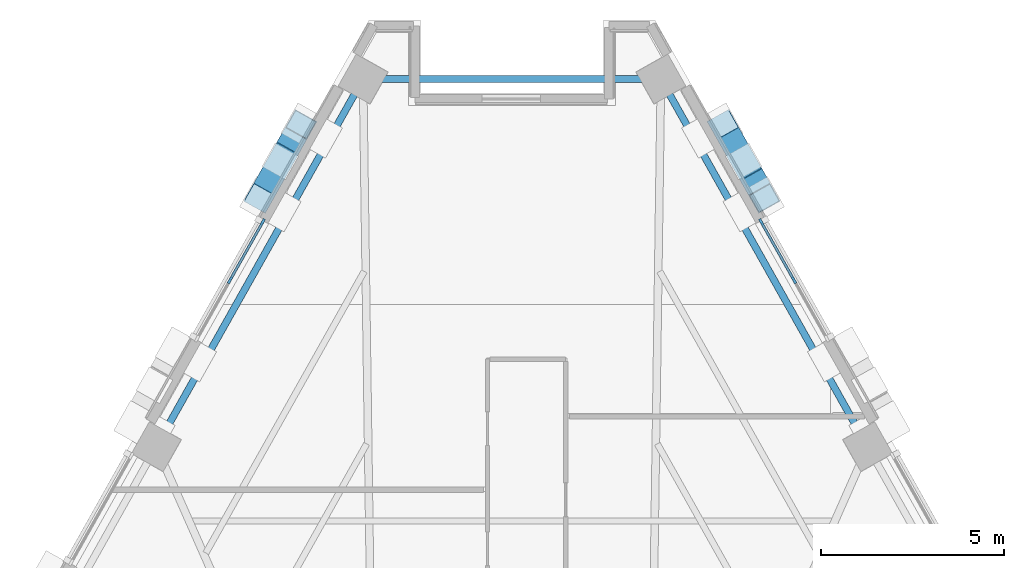
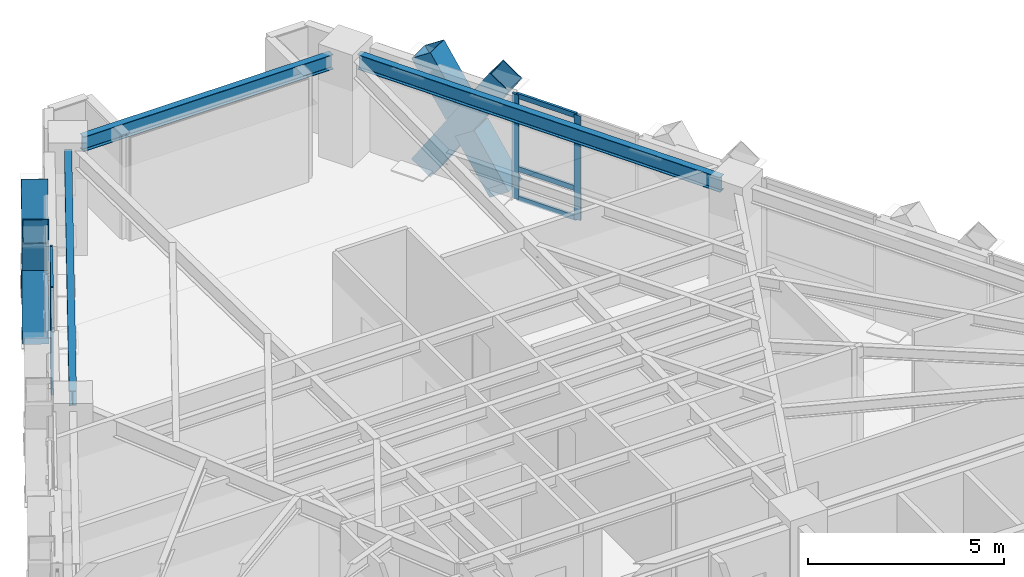
# One storey, part 5 of 14: 16 members, 3 beams, 2 elements without a shape of their own.
"""IFC4 building model written with IfcOpenShell, lengths in metres."""

from ifc_helpers import new_model, si_unit, direction, frame, origin, origin_2d, place, context, subcontext, project, spatial, rectangle, hollow_rectangle, i_section, extrude, material, material_profile, profile_set, type_object, element, aggregate, save


model = new_model("IFC4")

# Units and contexts
model_context = context("Model", 3, precision=1e-05, world=origin(), true_north=direction((0.0, 1.0)))
body_context = subcontext(model_context, "Body", "Model", "MODEL_VIEW")
ifc_project = project(units=[si_unit("LENGTHUNIT", "METRE"), si_unit("AREAUNIT", "SQUARE_METRE"), si_unit("VOLUMEUNIT", "CUBIC_METRE"), si_unit("PLANEANGLEUNIT", "RADIAN"), si_unit("MASSUNIT", "GRAM", prefix="KILO")], contexts=[model_context])

# Site, building, storey
site_placement = place(None, origin())
site = spatial("IfcSite", under=ifc_project, at=site_placement, CompositionType="ELEMENT")
building_placement = place(site_placement, origin())
building = spatial("IfcBuilding", under=site, at=building_placement, Name="Quenlor Broadcast Tower", CompositionType="ELEMENT")
storey_placement = place(building_placement, frame((0.0, 0.0, 133.5)))
storey = spatial("IfcBuildingStorey", under=building, at=storey_placement, Name="L36", CompositionType="ELEMENT", Elevation=133.5)

# Curtain wall, members
ifc_material_1 = material(Name="Architectural Terracotta and Low-E Glazing", Category="masonry")
curtain_wall_type = type_object("IfcCurtainWallType", Name="Unitised Terracotta Curtain Wall System Z3", PredefinedType="NOTDEFINED", material=ifc_material_1)
curtain_wall_1_placement = place(storey_placement, origin())
curtain_wall_1 = element("IfcCurtainWall", 1, at=curtain_wall_1_placement, inside=storey, type_object=curtain_wall_type, Name="L36 Curtain Wall CW3 (L36-NEA-G1)", PredefinedType="NOTDEFINED")
ifc_material_2 = material(Name="Aluminium 6063-T6", Category="aluminium")
ifc_material_profile_1 = material_profile(ifc_material_2, rectangle(XDim=0.070068359375, YDim=0.18994140625, at=origin_2d()))
ifc_profile_set_1 = profile_set([ifc_material_profile_1], Name="Aluminium 6063-T6 MULL70x190")
member_type_1 = type_object("IfcMemberType", Name="CW3 Aluminium Mullion MULL_CW3", PredefinedType="MULLION", material=ifc_profile_set_1)
member_1_placement = place(storey_placement, frame((6.8271484375, 14.90576171875, 0.0), z_axis=(0.0, 0.0, 1.0), x_axis=(0.871570530637, 0.490270139949, 0.0)))
member_1 = element("IfcMember", 2, at=member_1_placement, type_object=member_type_1, Name="CW3 mullion 1", PredefinedType="MULLION", context=body_context, shape_type="SweptSolid", body=[
    extrude(rectangle(XDim=0.070068359375, YDim=0.18994140625, at=origin_2d()), origin(), (0.0, 0.0, 1.0), 3.25),
])
member_2_placement = place(storey_placement, frame((7.725341796875, 13.30908203125, 0.0), z_axis=(0.0, 0.0, 1.0), x_axis=(0.871570530637, 0.490270139949, 0.0)))
member_2 = element("IfcMember", 3, at=member_2_placement, type_object=member_type_1, Name="CW3 mullion 2", PredefinedType="MULLION", context=body_context, shape_type="SweptSolid", body=[
    extrude(rectangle(XDim=0.070068359375, YDim=0.18994140625, at=origin_2d()), origin(), (0.0, 0.0, 1.0), 3.25),
])

curtain_wall_2_placement = place(storey_placement, origin())
curtain_wall_2 = element("IfcCurtainWall", 4, at=curtain_wall_2_placement, inside=storey, type_object=curtain_wall_type, Name="L36 Curtain Wall CW3 (L36-NWC-G1)", PredefinedType="NOTDEFINED")
member_3_placement = place(storey_placement, frame((-7.725341796875, 13.30908203125, 0.0), z_axis=(0.0, 0.0, 1.0), x_axis=(-0.871570530637, 0.490270139949, 0.0)))
member_3 = element("IfcMember", 5, at=member_3_placement, type_object=member_type_1, Name="CW3 mullion 2", PredefinedType="MULLION", context=body_context, shape_type="SweptSolid", body=[
    extrude(rectangle(XDim=0.070068359375, YDim=0.18994140625, at=origin_2d()), origin(), (0.0, 0.0, 1.0), 3.25),
])
member_4_placement = place(storey_placement, frame((-6.8271484375, 14.90576171875, 0.0), z_axis=(0.0, 0.0, 1.0), x_axis=(-0.871570530637, 0.490270139949, 0.0)))
member_4 = element("IfcMember", 6, at=member_4_placement, type_object=member_type_1, Name="CW3 mullion 3", PredefinedType="MULLION", context=body_context, shape_type="SweptSolid", body=[
    extrude(rectangle(XDim=0.070068359375, YDim=0.18994140625, at=origin_2d()), origin(), (0.0, 0.0, 1.0), 3.25),
])

# Member
ifc_material_3 = material(Name="Aluminium 6063-T6", Category="aluminium")
ifc_material_profile_2 = material_profile(ifc_material_3, rectangle(XDim=0.070068359375, YDim=0.155029296875, at=origin_2d()))
ifc_profile_set_2 = profile_set([ifc_material_profile_2], Name="Aluminium 6063-T6 TRAN70x155")
member_type_2 = type_object("IfcMemberType", Name="CW3 Aluminium Transom TRAN_CW3", PredefinedType="USERDEFINED", material=ifc_profile_set_2)
member_5_placement = place(storey_placement, frame((6.84423828125, 14.875244140625, 0.034912109375), z_axis=(0.490353334151, -0.871523727553, 0.0), x_axis=(0.871523727553, 0.490353334151, 0.0)))
member_5 = element("IfcMember", 7, at=member_5_placement, type_object=member_type_2, Name="CW3 transom 1.1", ObjectType="TRANSOM", PredefinedType="USERDEFINED", context=body_context, shape_type="SweptSolid", body=[
    extrude(rectangle(XDim=0.070068359375, YDim=0.155029296875, at=origin_2d()), origin(), (0.0, 0.0, 1.0), 1.761962890625),
])

member_6_placement = place(storey_placement, frame((6.84423828125, 14.875244140625, 0.949951171875), z_axis=(0.490353334151, -0.871523727553, 0.0), x_axis=(0.871523727553, 0.490353334151, 0.0)))
member_6 = element("IfcMember", 8, at=member_6_placement, type_object=member_type_2, Name="CW3 transom 1.2", ObjectType="TRANSOM", PredefinedType="USERDEFINED", context=body_context, shape_type="SweptSolid", body=[
    extrude(rectangle(XDim=0.070068359375, YDim=0.155029296875, at=origin_2d()), origin(), (0.0, 0.0, 1.0), 1.761962890625),
])

member_7_placement = place(storey_placement, frame((6.84423828125, 14.875244140625, 3.215087890625), z_axis=(0.490353334151, -0.871523727553, 0.0), x_axis=(0.871523727553, 0.490353334151, 0.0)))
member_7 = element("IfcMember", 9, at=member_7_placement, type_object=member_type_2, Name="CW3 transom 1.3", ObjectType="TRANSOM", PredefinedType="USERDEFINED", context=body_context, shape_type="SweptSolid", body=[
    extrude(rectangle(XDim=0.070068359375, YDim=0.155029296875, at=origin_2d()), origin(), (0.0, 0.0, 1.0), 1.761962890625),
])

aggregate(curtain_wall_1, [member_1, member_2, member_5, member_6, member_7])

member_8_placement = place(storey_placement, frame((-7.708251953125, 13.339599609375, 0.034912109375), z_axis=(0.490353334151, 0.871523727553, 0.0), x_axis=(-0.871523727553, 0.490353334151, 0.0)))
member_8 = element("IfcMember", 10, at=member_8_placement, type_object=member_type_2, Name="CW3 transom 2.1", ObjectType="TRANSOM", PredefinedType="USERDEFINED", context=body_context, shape_type="SweptSolid", body=[
    extrude(rectangle(XDim=0.070068359375, YDim=0.155029296875, at=origin_2d()), origin(), (0.0, 0.0, 1.0), 1.761962890625),
])

member_9_placement = place(storey_placement, frame((-7.708251953125, 13.339599609375, 0.949951171875), z_axis=(0.490353334151, 0.871523727553, 0.0), x_axis=(-0.871523727553, 0.490353334151, 0.0)))
member_9 = element("IfcMember", 11, at=member_9_placement, type_object=member_type_2, Name="CW3 transom 2.2", ObjectType="TRANSOM", PredefinedType="USERDEFINED", context=body_context, shape_type="SweptSolid", body=[
    extrude(rectangle(XDim=0.070068359375, YDim=0.155029296875, at=origin_2d()), origin(), (0.0, 0.0, 1.0), 1.761962890625),
])

member_10_placement = place(storey_placement, frame((-7.708251953125, 13.339599609375, 3.215087890625), z_axis=(0.490353334151, 0.871523727553, 0.0), x_axis=(-0.871523727553, 0.490353334151, 0.0)))
member_10 = element("IfcMember", 12, at=member_10_placement, type_object=member_type_2, Name="CW3 transom 2.3", ObjectType="TRANSOM", PredefinedType="USERDEFINED", context=body_context, shape_type="SweptSolid", body=[
    extrude(rectangle(XDim=0.070068359375, YDim=0.155029296875, at=origin_2d()), origin(), (0.0, 0.0, 1.0), 1.761962890625),
])

aggregate(curtain_wall_2, [member_3, member_4, member_8, member_9, member_10])

# Members
ifc_material_4 = material(Name="Steel S355", Category="steel")
ifc_material_profile_3 = material_profile(ifc_material_4, hollow_rectangle(XDim=0.679931640625, YDim=0.679931640625, WallThickness=0.02490234375, at=origin_2d()))
ifc_profile_set_3 = profile_set([ifc_material_profile_3], Name="Steel S355 RHS680x680x25")
member_type_3 = type_object("IfcMemberType", Name="Perimeter Diagonal Lattice Brace Z3-Z4 Steel S355 RHS680x25", PredefinedType="BRACE", material=ifc_profile_set_3)
member_11_placement = place(storey_placement, frame((5.77783203125, 17.5771484375, -0.1201171875), z_axis=(0.2705491942, -0.481008661973, 0.833926735766), x_axis=(0.871589611547, 0.490236217596, 0.0)))
element("IfcMember", 13, at=member_11_placement, inside=storey, type_object=member_type_3, Name="L36 Perimeter Diamond Lattice NE-C1XA", PredefinedType="BRACE", context=body_context, shape_type="SweptSolid", body=[
    extrude(hollow_rectangle(XDim=0.679931640625, YDim=0.679931640625, WallThickness=0.02490234375, at=origin_2d()), origin(), (0.0, 0.0, 1.0), 4.197021484375),
])
for number, where, z_axis, x_axis, name in (
    (14, (6.913330078125, 15.558349609375, -0.1201171875), (-0.270616433058, 0.481007832697, 0.833905396938), (-0.871537189362, -0.490329407194, 0.0), "L36 Perimeter Diamond Lattice NE-C1XB1"),
    (15, (6.278076171875, 16.68798828125, 1.83837890625), (-0.270616433058, 0.481007832697, 0.833905396938), (-0.871537189362, -0.490329407194, 0.0), "L36 Perimeter Diamond Lattice NE-C1XB2"),
):
    element("IfcMember", number, at=place(storey_placement, frame(where, z_axis=z_axis, x_axis=x_axis)), inside=storey, type_object=member_type_3, Name=name, PredefinedType="BRACE", context=body_context, shape_type="SweptSolid", body=[
        extrude(hollow_rectangle(XDim=0.679931640625, YDim=0.679931640625, WallThickness=0.02490234375, at=origin_2d()), origin(), (0.0, 0.0, 1.0), 1.8486328125),
    ])
member_12_placement = place(storey_placement, frame((-6.913330078125, 15.558349609375, -0.1201171875), z_axis=(0.2705491942, 0.481008661973, 0.833926735766), x_axis=(-0.871589611547, 0.490236217596, 0.0)))
element("IfcMember", 16, at=member_12_placement, inside=storey, type_object=member_type_3, Name="L36 Perimeter Diamond Lattice NW-C5XA", PredefinedType="BRACE", context=body_context, shape_type="SweptSolid", body=[
    extrude(hollow_rectangle(XDim=0.679931640625, YDim=0.679931640625, WallThickness=0.02490234375, at=origin_2d()), origin(), (0.0, 0.0, 1.0), 4.197021484375),
])
for number, where, z_axis, x_axis, name in (
    (17, (-5.77783203125, 17.5771484375, -0.1201171875), (-0.270616433058, -0.481007832697, 0.833905396938), (0.871537189362, -0.490329407194, 0.0), "L36 Perimeter Diamond Lattice NW-C5XB1"),
    (18, (-6.4130859375, 16.447509765625, 1.83837890625), (-0.270616433058, -0.481007832697, 0.833905396938), (0.871537189362, -0.490329407194, 0.0), "L36 Perimeter Diamond Lattice NW-C5XB2"),
):
    element("IfcMember", number, at=place(storey_placement, frame(where, z_axis=z_axis, x_axis=x_axis)), inside=storey, type_object=member_type_3, Name=name, PredefinedType="BRACE", context=body_context, shape_type="SweptSolid", body=[
        extrude(hollow_rectangle(XDim=0.679931640625, YDim=0.679931640625, WallThickness=0.02490234375, at=origin_2d()), origin(), (0.0, 0.0, 1.0), 1.8486328125),
    ])

# Beams
ifc_material_5 = material(Name="Steel S355", Category="steel")
ifc_material_profile_4 = material_profile(ifc_material_5, i_section(OverallWidth=0.19091796875, OverallDepth=0.46044921875, WebThickness=0.010009765625, FlangeThickness=0.01611328125, FilletRadius=0.011474609375, at=origin_2d()))
ifc_profile_set_4 = profile_set([ifc_material_profile_4], Name="Steel S355 460UB82.1")
beam_type = type_object("IfcBeamType", Name="Perimeter Spandrel Beam Z3 Steel S355 460UB82.1", PredefinedType="SPANDREL", material=ifc_profile_set_4)
beam_1_placement = place(storey_placement, frame((9.5419921875, 9.110595703125, 3.019775390625), z_axis=(-0.490257999604, 0.871577359633, 0.0), x_axis=(-0.871577359633, -0.490257999604, 0.0)))
element("IfcBeam", 19, at=beam_1_placement, inside=storey, type_object=beam_type, Name="L36 Spandrel Beam NE3-NE4", PredefinedType="SPANDREL", context=body_context, shape_type="SweptSolid", body=[
    extrude(i_section(OverallWidth=0.19091796875, OverallDepth=0.46044921875, WebThickness=0.010009765625, FlangeThickness=0.01611328125, FilletRadius=0.011474609375, at=origin_2d()), origin(), (0.0, 0.0, 1.0), 10.732666015625),
])
beam_2_placement = place(storey_placement, frame((3.669189453125, 18.822021484375, 3.019775390625), z_axis=(-1.0, 0.0, 0.0), x_axis=(0.0, -1.0, 0.0)))
element("IfcBeam", 20, at=beam_2_placement, inside=storey, type_object=beam_type, Name="L36 Spandrel Beam NE4-NW1", PredefinedType="SPANDREL", context=body_context, shape_type="SweptSolid", body=[
    extrude(i_section(OverallWidth=0.19091796875, OverallDepth=0.46044921875, WebThickness=0.010009765625, FlangeThickness=0.01611328125, FilletRadius=0.011474609375, at=origin_2d()), origin(), (0.0, 0.0, 1.0), 7.33837890625),
])
beam_3_placement = place(storey_placement, frame((-4.2802734375, 18.46484375, 3.019775390625), z_axis=(-0.490257999604, -0.871577359633, 0.0), x_axis=(0.871577359633, -0.490257999604, 0.0)))
element("IfcBeam", 21, at=beam_3_placement, inside=storey, type_object=beam_type, Name="L36 Spandrel Beam NW1-NW2", PredefinedType="SPANDREL", context=body_context, shape_type="SweptSolid", body=[
    extrude(i_section(OverallWidth=0.19091796875, OverallDepth=0.46044921875, WebThickness=0.010009765625, FlangeThickness=0.01611328125, FilletRadius=0.011474609375, at=origin_2d()), origin(), (0.0, 0.0, 1.0), 10.732666015625),
])

save(model, "model.ifc")
